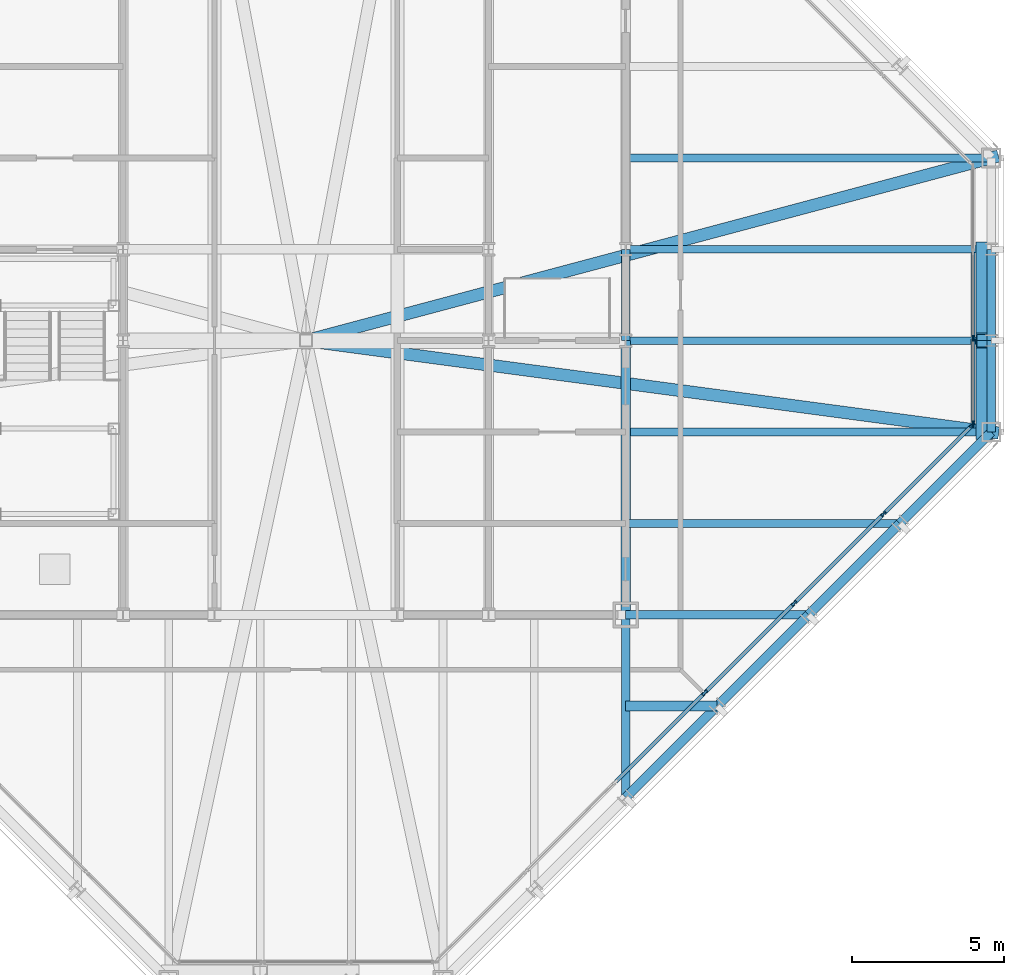
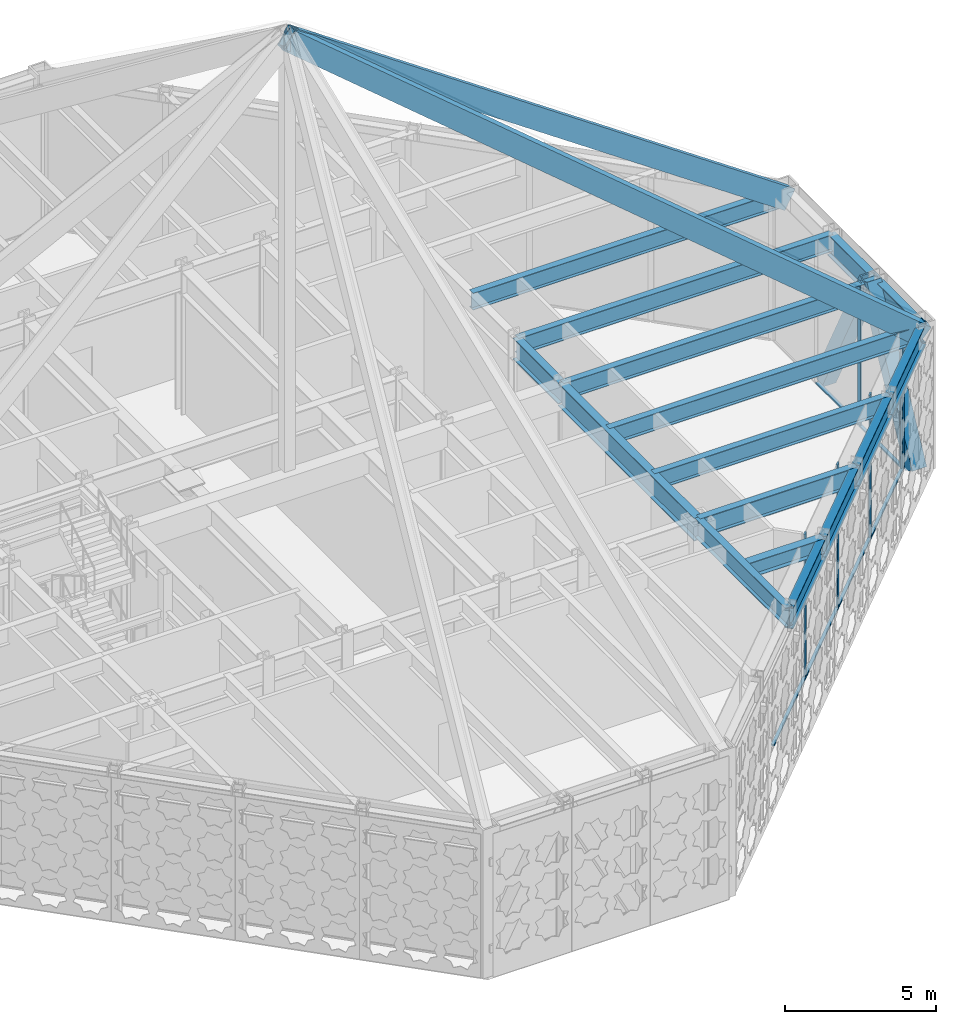
# One storey, part 8 of 30: 16 beams, 16 members, 2 elements without a shape of their own.
"""IFC4 building model written with IfcOpenShell, lengths in metres."""

from ifc_helpers import new_model, si_unit, direction, frame, origin, origin_2d, place, context, subcontext, project, spatial, rectangle, hollow_rectangle, i_section, extrude, material, layer, layer_set, material_profile, profile_set, type_object, element, aggregate, save


model = new_model("IFC4")

# Units and contexts
model_context = context("Model", 3, precision=1e-05, world=origin(), true_north=direction((0.0, 1.0)))
body_context = subcontext(model_context, "Body", "Model", "MODEL_VIEW")
ifc_project = project(units=[si_unit("LENGTHUNIT", "METRE"), si_unit("AREAUNIT", "SQUARE_METRE"), si_unit("VOLUMEUNIT", "CUBIC_METRE"), si_unit("PLANEANGLEUNIT", "RADIAN"), si_unit("MASSUNIT", "GRAM", prefix="KILO")], contexts=[model_context])

# Site, building, storey
site_placement = place(None, origin())
site = spatial("IfcSite", under=ifc_project, at=site_placement, CompositionType="ELEMENT")
building_placement = place(site_placement, origin())
building = spatial("IfcBuilding", under=site, at=building_placement, Name="Chuquiago Exchange Tower", CompositionType="ELEMENT")
storey_placement = place(building_placement, frame((0.0, 0.0, 306.0)))
storey = spatial("IfcBuildingStorey", under=building, at=storey_placement, Name="L68", CompositionType="ELEMENT", Elevation=306.0)

# Beams
ifc_material_1 = material(Name="Steel ASTM A992", Category="steel")
ifc_material_profile_1 = material_profile(ifc_material_1, i_section(OverallWidth=0.25390625, OverallDepth=0.683349609375, WebThickness=0.012451171875, FlangeThickness=0.018798828125, at=origin_2d()), Name="W27X94")
ifc_profile_set_1 = profile_set([ifc_material_profile_1], Name="Steel ASTM A992")
beam_type_1 = type_object("IfcBeamType", Name="B1 W27X94", PredefinedType="BEAM", material=ifc_profile_set_1)
beam_1_placement = place(storey_placement, frame((33.0, 15.0, 5.45849609375), z_axis=(1.0, 0.0, 0.0), x_axis=(0.0, 1.0, 0.0)))
element("IfcBeam", 1, at=beam_1_placement, inside=storey, type_object=beam_type_1, Name="FB-ROOF-infill-33_15-42_15", PredefinedType="BEAM", context=body_context, shape_type="SweptSolid", body=[
    extrude(i_section(OverallWidth=0.25390625, OverallDepth=0.683349609375, WebThickness=0.012451171875, FlangeThickness=0.018798828125, at=origin_2d()), origin(), (0.0, 0.0, 1.0), 9.0),
])
for number, where, z_axis, x_axis, name in (
    (2, (33.0, 18.0, 5.45849609375), (1.0, 0.0, 0.0), (0.0, 1.0, 0.0), "FB-ROOF-infill-33_18-45_18"),
    (3, (33.0, 21.0, 5.45849609375), (1.0, 0.0, 0.0), (0.0, 1.0, 0.0), "FB-ROOF-infill-33_21-45_21"),
    (4, (33.0, 24.0, 5.45849609375), (1.0, 0.0, 0.0), (0.0, 1.0, 0.0), "FB-ROOF-infill-33_24-45_24"),
    (5, (33.0, 27.0, 5.45849609375), (1.0, 0.0, 0.0), (0.0, 1.0, 0.0), "FB-ROOF-infill-33_27-45_27"),
):
    element("IfcBeam", number, at=place(storey_placement, frame(where, z_axis=z_axis, x_axis=x_axis)), inside=storey, type_object=beam_type_1, Name=name, PredefinedType="BEAM", context=body_context, shape_type="SweptSolid", body=[
        extrude(i_section(OverallWidth=0.25390625, OverallDepth=0.683349609375, WebThickness=0.012451171875, FlangeThickness=0.018798828125, at=origin_2d()), origin(), (0.0, 0.0, 1.0), 12.0),
    ])
ifc_material_2 = material(Name="Steel ASTM A992", Category="steel")
ifc_material_profile_2 = material_profile(ifc_material_2, i_section(OverallWidth=0.307373046875, OverallDepth=0.927001953125, WebThickness=0.01953125, FlangeThickness=0.031982421875, at=origin_2d()), Name="W36X194")
ifc_profile_set_2 = profile_set([ifc_material_profile_2], Name="Steel ASTM A992")
beam_type_2 = type_object("IfcBeamType", Name="B10 W36X194", PredefinedType="BEAM", material=ifc_profile_set_2)
beam_2_placement = place(storey_placement, frame((33.0, 12.0, 5.33642578125), z_axis=(0.0, 1.0, 0.0), x_axis=(-1.0, 0.0, 0.0)))
element("IfcBeam", 6, at=beam_2_placement, inside=storey, type_object=beam_type_2, Name="CB-ROOF-33_12-33_21", PredefinedType="BEAM", context=body_context, shape_type="SweptSolid", body=[
    extrude(i_section(OverallWidth=0.307373046875, OverallDepth=0.927001953125, WebThickness=0.01953125, FlangeThickness=0.031982421875, at=origin_2d()), origin(), (0.0, 0.0, 1.0), 9.0),
])
ifc_material_3 = material(Name="Steel ASTM A992", Category="steel")
ifc_material_profile_3 = material_profile(ifc_material_3, i_section(OverallWidth=0.3251953125, OverallDepth=0.612060546875, WebThickness=0.0126953125, FlangeThickness=0.01904296875, at=origin_2d()), Name="W24X104")
ifc_profile_set_3 = profile_set([ifc_material_profile_3], Name="Steel ASTM A992")
beam_type_3 = type_object("IfcBeamType", Name="B2 W24X104", PredefinedType="BEAM", material=ifc_profile_set_3)
beam_3_placement = place(storey_placement, frame((33.0, 9.0, 5.493896484375), z_axis=(1.0, 0.0, 0.0), x_axis=(0.0, 1.0, 0.0)))
element("IfcBeam", 7, at=beam_3_placement, inside=storey, type_object=beam_type_3, Name="FB-ROOF-corner-33_9-36_9", PredefinedType="BEAM", context=body_context, shape_type="SweptSolid", body=[
    extrude(i_section(OverallWidth=0.3251953125, OverallDepth=0.612060546875, WebThickness=0.0126953125, FlangeThickness=0.01904296875, at=origin_2d()), origin(), (0.0, 0.0, 1.0), 3.0),
])
ifc_material_4 = material(Name="Steel ASTM A992", Category="steel")
ifc_material_profile_4 = material_profile(ifc_material_4, i_section(OverallWidth=0.2919921875, OverallDepth=0.8583984375, WebThickness=0.01708984375, FlangeThickness=0.031005859375, at=origin_2d()), Name="W33X169")
ifc_profile_set_4 = profile_set([ifc_material_profile_4], Name="Steel ASTM A992")
beam_type_4 = type_object("IfcBeamType", Name="B3 W33X169", PredefinedType="BEAM", material=ifc_profile_set_4)
beam_4_placement = place(storey_placement, frame((33.0, 21.0, 5.37060546875), z_axis=(0.0, 1.0, 0.0), x_axis=(-1.0, 0.0, 0.0)))
element("IfcBeam", 8, at=beam_4_placement, inside=storey, type_object=beam_type_4, Name="CB-ROOF-33_21-33_24", PredefinedType="BEAM", context=body_context, shape_type="SweptSolid", body=[
    extrude(i_section(OverallWidth=0.2919921875, OverallDepth=0.8583984375, WebThickness=0.01708984375, FlangeThickness=0.031005859375, at=origin_2d()), origin(), (0.0, 0.0, 1.0), 3.0),
])

# Members
ifc_material_5 = material(Name="Steel ASTM A572 Grade 50", Category="steel")
ifc_material_profile_5 = material_profile(ifc_material_5, hollow_rectangle(XDim=0.39990234375, YDim=0.800048828125, WallThickness=0.0400390625, at=origin_2d()), Name="BOX800X400X40")
ifc_profile_set_5 = profile_set([ifc_material_profile_5], Name="Steel ASTM A572 Grade 50")
member_type_1 = type_object("IfcMemberType", Name="CR1 BOX800X400X40", PredefinedType="RAFTER", material=ifc_profile_set_5)
member_1_placement = place(storey_placement, frame((45.0, 18.0, 5.358154296875), z_axis=(-0.776670559618, 0.103556074616, 0.621336447694), x_axis=(-0.132163720091, -0.991227900683, 0.0)))
element("IfcMember", 9, at=member_1_placement, inside=storey, type_object=member_type_1, Name="Crown hip rafter at 45_18", PredefinedType="RAFTER", context=body_context, shape_type="SweptSolid", body=[
    extrude(hollow_rectangle(XDim=0.39990234375, YDim=0.800048828125, WallThickness=0.0400390625, at=origin_2d()), origin(), (0.0, 0.0, 1.0), 28.9697265625),
])
member_2_placement = place(storey_placement, frame((45.0, 27.0, 5.39501953125), z_axis=(-0.764734519557, -0.203929205215, 0.611223358404), x_axis=(0.25766265056, -0.966234939601, 0.0)))
element("IfcMember", 10, at=member_2_placement, inside=storey, type_object=member_type_1, Name="Crown hip rafter at 45_27", PredefinedType="RAFTER", context=body_context, shape_type="SweptSolid", body=[
    extrude(hollow_rectangle(XDim=0.39990234375, YDim=0.800048828125, WallThickness=0.0400390625, at=origin_2d()), origin(), (0.0, 0.0, 1.0), 29.421875),
])

# Curtain wall, members
ifc_material_6 = material(Name="Aluminium curtain wall system", Category="aluminium")
ifc_layer = layer(ifc_material_6, 0.199951171875)
ifc_layer_set = layer_set([ifc_layer], Name="CW5 lantern curtain wall")
curtain_wall_type = type_object("IfcCurtainWallType", Name="CW5 lantern curtain wall", PredefinedType="NOTDEFINED", material=ifc_layer_set)
curtain_wall_1_placement = place(storey_placement, origin())
curtain_wall_1 = element("IfcCurtainWall", 11, at=curtain_wall_1_placement, inside=storey, type_object=curtain_wall_type, Name="CW5 curtain wall L68", PredefinedType="NOTDEFINED")
ifc_material_7 = material(Name="Aluminium mullion, pale anodised", Category="aluminium")
ifc_material_profile_6 = material_profile(ifc_material_7, rectangle(XDim=0.06005859375, YDim=0.199951171875, at=origin_2d()), Name="AL 60x200")
ifc_profile_set_6 = profile_set([ifc_material_profile_6], Name="Aluminium mullion, pale anodised")
member_type_2 = type_object("IfcMemberType", Name="CW5-M mullion 60x200", PredefinedType="MULLION", material=ifc_profile_set_6)
member_3_placement = place(storey_placement, frame((35.593505859375, 9.44189453125, 0.0), z_axis=(0.0, 0.0, 1.0), x_axis=(-0.707104773852, 0.707108788515, 0.0)))
member_3 = element("IfcMember", 12, at=member_3_placement, type_object=member_type_2, Name="CW5 mullion 4", PredefinedType="MULLION", context=body_context, shape_type="SweptSolid", body=[
    extrude(rectangle(XDim=0.06005859375, YDim=0.199951171875, at=origin_2d()), origin(), (0.0, 0.0, 1.0), 5.800048828125),
])
member_4_placement = place(storey_placement, frame((38.529052734375, 12.37744140625, 0.0), z_axis=(0.0, 0.0, 1.0), x_axis=(-0.707104773852, 0.707108788515, 0.0)))
member_4 = element("IfcMember", 13, at=member_4_placement, type_object=member_type_2, Name="CW5 mullion 5", PredefinedType="MULLION", context=body_context, shape_type="SweptSolid", body=[
    extrude(rectangle(XDim=0.06005859375, YDim=0.199951171875, at=origin_2d()), origin(), (0.0, 0.0, 1.0), 5.800048828125),
])
member_5_placement = place(storey_placement, frame((41.46435546875, 15.31298828125, 0.0), z_axis=(0.0, 0.0, 1.0), x_axis=(-0.707104773852, 0.707108788515, 0.0)))
member_5 = element("IfcMember", 14, at=member_5_placement, type_object=member_type_2, Name="CW5 mullion 6", PredefinedType="MULLION", context=body_context, shape_type="SweptSolid", body=[
    extrude(rectangle(XDim=0.06005859375, YDim=0.199951171875, at=origin_2d()), origin(), (0.0, 0.0, 1.0), 5.800048828125),
])
member_6_placement = place(storey_placement, frame((44.37890625, 18.227294921875, 0.0), z_axis=(0.0, 0.0, 1.0), x_axis=(-0.707104773852, 0.707108788515, 0.0)))
member_6 = element("IfcMember", 15, at=member_6_placement, type_object=member_type_2, Name="CW5 mullion 7", PredefinedType="MULLION", context=body_context, shape_type="SweptSolid", body=[
    extrude(rectangle(XDim=0.06005859375, YDim=0.199951171875, at=origin_2d()), origin(), (0.0, 0.0, 1.0), 5.800048828125),
])

curtain_wall_2_placement = place(storey_placement, origin())
curtain_wall_2 = element("IfcCurtainWall", 16, at=curtain_wall_2_placement, inside=storey, type_object=curtain_wall_type, Name="CW5 curtain wall L68", PredefinedType="NOTDEFINED")
member_7_placement = place(storey_placement, frame((44.39990234375, 18.278564453125, 0.0), z_axis=(0.0, 0.0, 1.0), x_axis=(-1.0, 0.0, 0.0)))
member_7 = element("IfcMember", 17, at=member_7_placement, type_object=member_type_2, Name="CW5 mullion 1", PredefinedType="MULLION", context=body_context, shape_type="SweptSolid", body=[
    extrude(rectangle(XDim=0.06005859375, YDim=0.199951171875, at=origin_2d()), origin(), (0.0, 0.0, 1.0), 5.800048828125),
])
member_8_placement = place(storey_placement, frame((44.39990234375, 21.082763671875, 0.0), z_axis=(0.0, 0.0, 1.0), x_axis=(-1.0, 0.0, 0.0)))
member_8 = element("IfcMember", 18, at=member_8_placement, type_object=member_type_2, Name="CW5 mullion 2", PredefinedType="MULLION", context=body_context, shape_type="SweptSolid", body=[
    extrude(rectangle(XDim=0.06005859375, YDim=0.199951171875, at=origin_2d()), origin(), (0.0, 0.0, 1.0), 5.800048828125),
])

# Member
ifc_material_8 = material(Name="Aluminium transom, pale anodised", Category="aluminium")
ifc_material_profile_7 = material_profile(ifc_material_8, rectangle(XDim=0.1201171875, YDim=0.06005859375, at=origin_2d()), Name="AL 120x60")
ifc_profile_set_7 = profile_set([ifc_material_profile_7], Name="Aluminium transom, pale anodised")
member_type_3 = type_object("IfcMemberType", Name="CW5-T transom 60x120", PredefinedType="MULLION", material=ifc_profile_set_7)
member_9_placement = place(storey_placement, frame((32.67919921875, 6.527587890625, 0.030029296875), z_axis=(0.707106781187, 0.707106781187, 0.0), x_axis=(-0.707106781187, 0.707106781187, 0.0)))
member_9 = element("IfcMember", 19, at=member_9_placement, type_object=member_type_3, Name="CW5 transom 3.1", PredefinedType="MULLION", context=body_context, shape_type="SweptSolid", body=[
    extrude(rectangle(XDim=0.1201171875, YDim=0.06005859375, at=origin_2d()), origin(), (0.0, 0.0, 1.0), 4.09130859375),
])

member_10_placement = place(storey_placement, frame((35.614501953125, 9.463134765625, 0.030029296875), z_axis=(0.707136615027, 0.707076946087, 0.0), x_axis=(-0.707076946087, 0.707136615027, 0.0)))
member_10 = element("IfcMember", 20, at=member_10_placement, type_object=member_type_3, Name="CW5 transom 4.1", PredefinedType="MULLION", context=body_context, shape_type="SweptSolid", body=[
    extrude(rectangle(XDim=0.1201171875, YDim=0.06005859375, at=origin_2d()), origin(), (0.0, 0.0, 1.0), 4.091552734375),
])

member_11_placement = place(storey_placement, frame((38.550048828125, 12.398681640625, 0.030029296875), z_axis=(0.707136615027, 0.707076946087, 0.0), x_axis=(-0.707076946087, 0.707136615027, 0.0)))
member_11 = element("IfcMember", 21, at=member_11_placement, type_object=member_type_3, Name="CW5 transom 5.1", PredefinedType="MULLION", context=body_context, shape_type="SweptSolid", body=[
    extrude(rectangle(XDim=0.1201171875, YDim=0.06005859375, at=origin_2d()), origin(), (0.0, 0.0, 1.0), 4.091552734375),
])

member_12_placement = place(storey_placement, frame((41.485595703125, 15.334228515625, 0.030029296875), z_axis=(0.707136835667, 0.707076725429, 0.0), x_axis=(-0.707076725429, 0.707136835667, 0.0)))
member_12 = element("IfcMember", 22, at=member_12_placement, type_object=member_type_3, Name="CW5 transom 6.1", PredefinedType="MULLION", context=body_context, shape_type="SweptSolid", body=[
    extrude(rectangle(XDim=0.1201171875, YDim=0.06005859375, at=origin_2d()), origin(), (0.0, 0.0, 1.0), 4.0615234375),
])

aggregate(curtain_wall_1, [member_3, member_4, member_5, member_6, member_9, member_10, member_11, member_12])

member_13_placement = place(storey_placement, frame((44.39990234375, 18.30859375, 0.030029296875), z_axis=(0.0, 1.0, 0.0), x_axis=(-1.0, 0.0, 0.0)))
member_13 = element("IfcMember", 23, at=member_13_placement, type_object=member_type_3, Name="CW5 transom 1.1", PredefinedType="MULLION", context=body_context, shape_type="SweptSolid", body=[
    extrude(rectangle(XDim=0.1201171875, YDim=0.06005859375, at=origin_2d()), origin(), (0.0, 0.0, 1.0), 2.744140625),
])

member_14_placement = place(storey_placement, frame((44.39990234375, 21.11279296875, 0.030029296875), z_axis=(0.0, 1.0, 0.0), x_axis=(-1.0, 0.0, 0.0)))
member_14 = element("IfcMember", 24, at=member_14_placement, type_object=member_type_3, Name="CW5 transom 2.1", PredefinedType="MULLION", context=body_context, shape_type="SweptSolid", body=[
    extrude(rectangle(XDim=0.1201171875, YDim=0.06005859375, at=origin_2d()), origin(), (0.0, 0.0, 1.0), 2.7744140625),
])

aggregate(curtain_wall_2, [member_7, member_8, member_13, member_14])

# Beams
ifc_material_9 = material(Name="Steel ASTM A992", Category="steel")
ifc_material_profile_8 = material_profile(ifc_material_9, i_section(OverallWidth=0.2666015625, OverallDepth=0.76953125, WebThickness=0.015625, FlangeThickness=0.025390625, at=origin_2d()), Name="W30X132")
ifc_profile_set_8 = profile_set([ifc_material_profile_8], Name="Steel ASTM A992")
beam_type_5 = type_object("IfcBeamType", Name="G1 W30X132", PredefinedType="BEAM", material=ifc_profile_set_8)
for number, where, z_axis, x_axis, name in (
    (25, (33.0, 12.0, 5.415283203125), (0.0, -1.0, 0.0), (1.0, 0.0, 0.0), "FB-ROOF-girder-33_12-33_6"),
    (26, (33.0, 12.0, 5.415283203125), (1.0, 0.0, 0.0), (0.0, 1.0, 0.0), "FB-ROOF-girder-33_12-39_12"),
):
    element("IfcBeam", number, at=place(storey_placement, frame(where, z_axis=z_axis, x_axis=x_axis)), inside=storey, type_object=beam_type_5, Name=name, PredefinedType="BEAM", context=body_context, shape_type="SweptSolid", body=[
        extrude(i_section(OverallWidth=0.2666015625, OverallDepth=0.76953125, WebThickness=0.015625, FlangeThickness=0.025390625, at=origin_2d()), origin(), (0.0, 0.0, 1.0), 6.0),
    ])

# Members
ifc_material_10 = material(Name="Steel ASTM A572 Grade 50", Category="steel")
ifc_material_profile_9 = material_profile(ifc_material_10, hollow_rectangle(XDim=0.550048828125, YDim=0.550048828125, WallThickness=0.044921875, at=origin_2d()), Name="BOX550X550X45")
ifc_profile_set_9 = profile_set([ifc_material_profile_9], Name="Steel ASTM A572 Grade 50")
member_type_4 = type_object("IfcMemberType", Name="MB4 BOX550X550X45", PredefinedType="BRACE", material=ifc_profile_set_9)
for number, where, z_axis, x_axis, name in (
    (27, (44.77001953125, 18.0, 0.0), (0.0, 0.459419867531, 0.88821922143), (-1.0, 0.0, 0.0), "Mega diagonal L68 E face"),
    (28, (44.77001953125, 24.0, 0.0), (0.0, -0.459419867531, 0.88821922143), (1.0, 0.0, 0.0), "Mega diagonal L68 E face"),
):
    element("IfcMember", number, at=place(storey_placement, frame(where, z_axis=z_axis, x_axis=x_axis)), inside=storey, type_object=member_type_4, Name=name, PredefinedType="BRACE", context=body_context, shape_type="SweptSolid", body=[
        extrude(hollow_rectangle(XDim=0.550048828125, YDim=0.550048828125, WallThickness=0.044921875, at=origin_2d()), origin(), (0.0, 0.0, 1.0), 6.530029296875),
    ])

# Beams
ifc_material_11 = material(Name="Steel ASTM A992", Category="steel")
ifc_material_profile_10 = material_profile(ifc_material_11, i_section(OverallWidth=0.2919921875, OverallDepth=0.8583984375, WebThickness=0.01708984375, FlangeThickness=0.031005859375, at=origin_2d()), Name="W33X169")
ifc_profile_set_10 = profile_set([ifc_material_profile_10], Name="Steel ASTM A992")
beam_type_6 = type_object("IfcBeamType", Name="SP4 W33X169", PredefinedType="SPANDREL", material=ifc_profile_set_10)
for number, where, z_axis, x_axis, name in (
    (29, (33.0, 6.0, 5.37060546875), (0.707106781187, 0.707106781187, 0.0), (-0.707106781187, 0.707106781187, 0.0), "SPB-ROOF-33_6-36_9"),
    (30, (36.0, 9.0, 5.37060546875), (0.707106781187, 0.707106781187, 0.0), (-0.707106781187, 0.707106781187, 0.0), "SPB-ROOF-36_9-39_12"),
    (31, (39.0, 12.0, 5.37060546875), (0.707106781187, 0.707106781187, 0.0), (-0.707106781187, 0.707106781187, 0.0), "SPB-ROOF-39_12-42_15"),
    (32, (42.0, 15.0, 5.37060546875), (0.707106781187, 0.707106781187, 0.0), (-0.707106781187, 0.707106781187, 0.0), "SPB-ROOF-42_15-45_18"),
):
    element("IfcBeam", number, at=place(storey_placement, frame(where, z_axis=z_axis, x_axis=x_axis)), inside=storey, type_object=beam_type_6, Name=name, PredefinedType="SPANDREL", context=body_context, shape_type="SweptSolid", body=[
        extrude(i_section(OverallWidth=0.2919921875, OverallDepth=0.8583984375, WebThickness=0.01708984375, FlangeThickness=0.031005859375, at=origin_2d()), origin(), (0.0, 0.0, 1.0), 4.24267578125),
    ])
for number, where, z_axis, x_axis, name in (
    (33, (45.0, 18.0, 5.37060546875), (0.0, 1.0, 0.0), (-1.0, 0.0, 0.0), "SPB-ROOF-45_18-45_21"),
    (34, (45.0, 21.0, 5.37060546875), (0.0, 1.0, 0.0), (-1.0, 0.0, 0.0), "SPB-ROOF-45_21-45_24"),
):
    element("IfcBeam", number, at=place(storey_placement, frame(where, z_axis=z_axis, x_axis=x_axis)), inside=storey, type_object=beam_type_6, Name=name, PredefinedType="SPANDREL", context=body_context, shape_type="SweptSolid", body=[
        extrude(i_section(OverallWidth=0.2919921875, OverallDepth=0.8583984375, WebThickness=0.01708984375, FlangeThickness=0.031005859375, at=origin_2d()), origin(), (0.0, 0.0, 1.0), 3.0),
    ])

save(model, "model.ifc")
